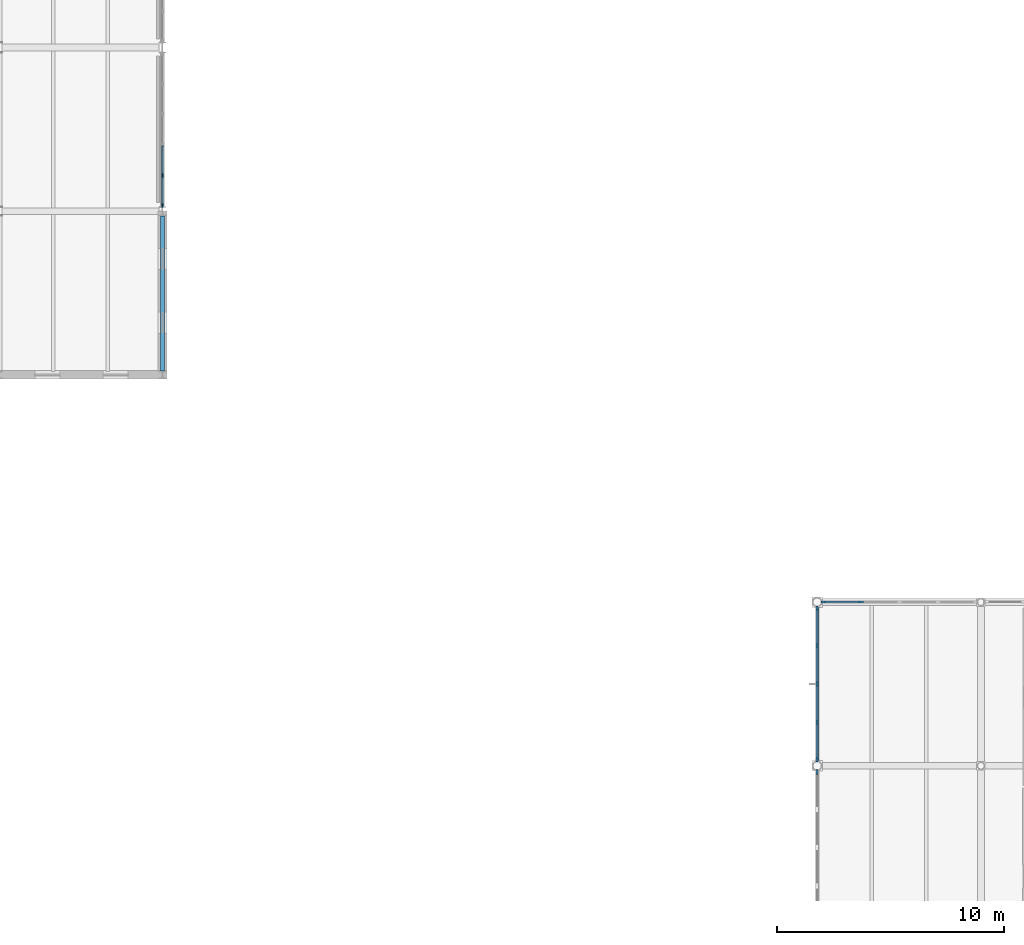
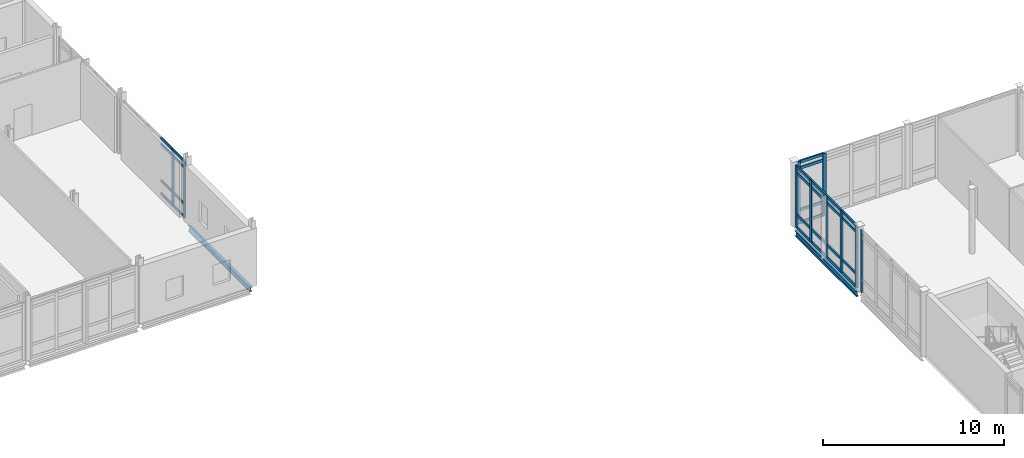
# One storey, part 30 of 76: 38 members, 2 beams, 4 elements without a shape of their own.
"""IFC4 building model written with IfcOpenShell, lengths in metres."""

from ifc_helpers import new_model, si_unit, direction, frame, origin, origin_2d, place, context, subcontext, project, spatial, rectangle, i_section, extrude, material, layer, layer_set, material_profile, profile_set, type_object, element, aggregate, save


model = new_model("IFC4")

# Units and contexts
model_context = context("Model", 3, precision=1e-05, world=origin(), true_north=direction((0.0, 1.0)))
body_context = subcontext(model_context, "Body", "Model", "MODEL_VIEW")
ifc_project = project(units=[si_unit("LENGTHUNIT", "METRE"), si_unit("AREAUNIT", "SQUARE_METRE"), si_unit("VOLUMEUNIT", "CUBIC_METRE"), si_unit("PLANEANGLEUNIT", "RADIAN"), si_unit("MASSUNIT", "GRAM", prefix="KILO")], contexts=[model_context])

# Site, building, storey
site_placement = place(None, origin())
site = spatial("IfcSite", under=ifc_project, at=site_placement, CompositionType="ELEMENT")
building_placement = place(site_placement, origin())
building = spatial("IfcBuilding", under=site, at=building_placement, Name="Zarrinpeak Specialist Clinic", CompositionType="ELEMENT")
storey_placement = place(building_placement, frame((0.0, 0.0, 5.199951171875)))
storey = spatial("IfcBuildingStorey", under=building, at=storey_placement, Name="L01", CompositionType="ELEMENT", Elevation=5.199951171875)

# Beams
ifc_material_1 = material(Name="Steel S355", Category="steel")
ifc_material_profile_1 = material_profile(ifc_material_1, i_section(OverallWidth=0.169921875, OverallDepth=0.360107421875, WebThickness=0.008056640625, FlangeThickness=0.0126953125, FilletRadius=0.01806640625, at=origin_2d()), Name="IPE 360")
ifc_profile_set_1 = profile_set([ifc_material_profile_1], Name="Steel S355")
beam_type = type_object("IfcBeamType", Name="BM-SP360", PredefinedType="SPANDREL", material=ifc_profile_set_1)
beam_1_placement = place(storey_placement, frame((64.800048828125, 82.177978515625, -0.409912109375), z_axis=(0.0, 1.0, 0.0), x_axis=(-1.0, 0.0, 0.0)))
element("IfcBeam", 1, at=beam_1_placement, inside=storey, type_object=beam_type, Name="L01 Perimeter Spandrel Beam BM-L01-Y0918", PredefinedType="SPANDREL", context=body_context, shape_type="SweptSolid", body=[
    extrude(i_section(OverallWidth=0.169921875, OverallDepth=0.360107421875, WebThickness=0.008056640625, FlangeThickness=0.0126953125, FilletRadius=0.01806640625, at=origin_2d()), origin(), (0.0, 0.0, 1.0), 6.799072265625),
])
beam_2_placement = place(storey_placement, frame((93.60009765625, 65.001220703125, -0.409912109375), z_axis=(0.0, 1.0, 0.0), x_axis=(-1.0, 0.0, 0.0)))
element("IfcBeam", 2, at=beam_2_placement, inside=storey, type_object=beam_type, Name="L01 Perimeter Spandrel Beam BM-L01-Y0932", PredefinedType="SPANDREL", context=body_context, shape_type="SweptSolid", body=[
    extrude(i_section(OverallWidth=0.169921875, OverallDepth=0.360107421875, WebThickness=0.008056640625, FlangeThickness=0.0126953125, FilletRadius=0.01806640625, at=origin_2d()), origin(), (0.0, 0.0, 1.0), 6.797607421875),
])

# Curtain wall, members
ifc_material_2 = material(Name="Anodised Aluminium Alloy 6063-T6", Category="aluminium")
ifc_layer_1 = layer(ifc_material_2, 0.1650390625)
ifc_layer_set_1 = layer_set([ifc_layer_1], Name="Anodised Aluminium Alloy 6063-T6")
curtain_wall_type_1 = type_object("IfcCurtainWallType", Name="CW-CLINIC", PredefinedType="NOTDEFINED", material=ifc_layer_set_1)
curtain_wall_1_placement = place(storey_placement, origin())
curtain_wall_1 = element("IfcCurtainWall", 3, at=curtain_wall_1_placement, inside=storey, type_object=curtain_wall_type_1, Name="L01 V6 Unitised Curtain Wall CW-L01-V6-139", PredefinedType="NOTDEFINED")
ifc_material_profile_2 = material_profile(ifc_material_2, rectangle(XDim=0.074951171875, YDim=0.179931640625, at=origin_2d()), Name="ALU 75x180")
ifc_profile_set_2 = profile_set([ifc_material_profile_2], Name="Anodised Aluminium Alloy 6063-T6")
member_type_1 = type_object("IfcMemberType", Name="CWM-75", PredefinedType="MULLION", material=ifc_profile_set_2)
member_1_placement = place(storey_placement, frame((64.800048828125, 89.46240234375, 0.0), z_axis=(0.0, 0.0, 1.0), x_axis=(-1.0, 0.0, 0.0)))
member_1 = element("IfcMember", 4, at=member_1_placement, type_object=member_type_1, Name="CW-03 mullion 1", PredefinedType="MULLION", context=body_context, shape_type="SweptSolid", body=[
    extrude(rectangle(XDim=0.074951171875, YDim=0.179931640625, at=origin_2d()), origin(), (0.0, 0.0, 1.0), 3.81005859375),
])
member_2_placement = place(storey_placement, frame((64.800048828125, 90.77001953125, 0.0), z_axis=(0.0, 0.0, 1.0), x_axis=(-1.0, 0.0, 0.0)))
member_2 = element("IfcMember", 5, at=member_2_placement, type_object=member_type_1, Name="CW-03 mullion 2", PredefinedType="MULLION", context=body_context, shape_type="SweptSolid", body=[
    extrude(rectangle(XDim=0.074951171875, YDim=0.179931640625, at=origin_2d()), origin(), (0.0, 0.0, 1.0), 3.81005859375),
])

ifc_layer_2 = layer(ifc_material_2, 0.199951171875)
ifc_layer_set_2 = layer_set([ifc_layer_2], Name="Anodised Aluminium Alloy 6063-T6")
curtain_wall_type_2 = type_object("IfcCurtainWallType", Name="CW-HALL", PredefinedType="NOTDEFINED", material=ifc_layer_set_2)
curtain_wall_2_placement = place(storey_placement, origin())
curtain_wall_2 = element("IfcCurtainWall", 6, at=curtain_wall_2_placement, inside=storey, type_object=curtain_wall_type_2, Name="L01 V3 Unitised Curtain Wall CW-L01-V3-099", PredefinedType="NOTDEFINED")
ifc_material_profile_3 = material_profile(ifc_material_2, rectangle(XDim=0.090087890625, YDim=0.219970703125, at=origin_2d()), Name="ALU 90x220")
ifc_profile_set_3 = profile_set([ifc_material_profile_3], Name="Anodised Aluminium Alloy 6063-T6")
member_type_2 = type_object("IfcMemberType", Name="CWM-90", PredefinedType="MULLION", material=ifc_profile_set_3)
member_3_placement = place(storey_placement, frame((95.5244140625, 72.0, 0.0), z_axis=(0.0, 0.0, 1.0), x_axis=(0.0, -1.0, 0.0)))
member_3 = element("IfcMember", 7, at=member_3_placement, type_object=member_type_2, Name="CW-02 mullion 4", PredefinedType="MULLION", context=body_context, shape_type="SweptSolid", body=[
    extrude(rectangle(XDim=0.090087890625, YDim=0.219970703125, at=origin_2d()), origin(), (0.0, 0.0, 1.0), 4.18505859375),
])
member_4_placement = place(storey_placement, frame((93.873291015625, 72.0, 0.0), z_axis=(0.0, 0.0, 1.0), x_axis=(0.0, -1.0, 0.0)))
member_4 = element("IfcMember", 8, at=member_4_placement, type_object=member_type_2, Name="CW-02 mullion 5", PredefinedType="MULLION", context=body_context, shape_type="SweptSolid", body=[
    extrude(rectangle(XDim=0.090087890625, YDim=0.219970703125, at=origin_2d()), origin(), (0.0, 0.0, 1.0), 4.18505859375),
])

# Curtain wall, member
curtain_wall_3_placement = place(storey_placement, origin())
curtain_wall_3 = element("IfcCurtainWall", 9, at=curtain_wall_3_placement, inside=storey, type_object=curtain_wall_type_2, Name="L01 V3 Unitised Curtain Wall CW-L01-V3-103", PredefinedType="NOTDEFINED")
member_5_placement = place(storey_placement, frame((93.60009765625, 64.52685546875, 0.0), z_axis=(0.0, 0.0, 1.0), x_axis=(1.0, 0.0, 0.0)))
member_5 = element("IfcMember", 10, at=member_5_placement, type_object=member_type_2, Name="CW-02 mullion 1", PredefinedType="MULLION", context=body_context, shape_type="SweptSolid", body=[
    extrude(rectangle(XDim=0.090087890625, YDim=0.219970703125, at=origin_2d()), origin(), (0.0, 0.0, 1.0), 4.18505859375),
])
aggregate(curtain_wall_3, [member_5])

# Curtain wall, members
curtain_wall_4_placement = place(storey_placement, origin())
curtain_wall_4 = element("IfcCurtainWall", 11, at=curtain_wall_4_placement, inside=storey, type_object=curtain_wall_type_2, Name="L01 V3 Unitised Curtain Wall CW-L01-V3-104", PredefinedType="NOTDEFINED")
member_6_placement = place(storey_placement, frame((93.60009765625, 71.726806640625, 0.0), z_axis=(0.0, 0.0, 1.0), x_axis=(1.0, 0.0, 0.0)))
member_6 = element("IfcMember", 12, at=member_6_placement, type_object=member_type_2, Name="CW-02 mullion 1", PredefinedType="MULLION", context=body_context, shape_type="SweptSolid", body=[
    extrude(rectangle(XDim=0.090087890625, YDim=0.219970703125, at=origin_2d()), origin(), (0.0, 0.0, 1.0), 4.18505859375),
])
member_7_placement = place(storey_placement, frame((93.60009765625, 70.0859375, 0.0), z_axis=(0.0, 0.0, 1.0), x_axis=(1.0, 0.0, 0.0)))
member_7 = element("IfcMember", 13, at=member_7_placement, type_object=member_type_2, Name="CW-02 mullion 2", PredefinedType="MULLION", context=body_context, shape_type="SweptSolid", body=[
    extrude(rectangle(XDim=0.090087890625, YDim=0.219970703125, at=origin_2d()), origin(), (0.0, 0.0, 1.0), 4.18505859375),
])
member_8_placement = place(storey_placement, frame((93.60009765625, 68.39990234375, 0.0), z_axis=(0.0, 0.0, 1.0), x_axis=(1.0, 0.0, 0.0)))
member_8 = element("IfcMember", 14, at=member_8_placement, type_object=member_type_2, Name="CW-02 mullion 3", PredefinedType="MULLION", context=body_context, shape_type="SweptSolid", body=[
    extrude(rectangle(XDim=0.090087890625, YDim=0.219970703125, at=origin_2d()), origin(), (0.0, 0.0, 1.0), 4.18505859375),
])
member_9_placement = place(storey_placement, frame((93.60009765625, 66.714111328125, 0.0), z_axis=(0.0, 0.0, 1.0), x_axis=(1.0, 0.0, 0.0)))
member_9 = element("IfcMember", 15, at=member_9_placement, type_object=member_type_2, Name="CW-02 mullion 4", PredefinedType="MULLION", context=body_context, shape_type="SweptSolid", body=[
    extrude(rectangle(XDim=0.090087890625, YDim=0.219970703125, at=origin_2d()), origin(), (0.0, 0.0, 1.0), 4.18505859375),
])
member_10_placement = place(storey_placement, frame((93.60009765625, 65.0732421875, 0.0), z_axis=(0.0, 0.0, 1.0), x_axis=(1.0, 0.0, 0.0)))
member_10 = element("IfcMember", 16, at=member_10_placement, type_object=member_type_2, Name="CW-02 mullion 5", PredefinedType="MULLION", context=body_context, shape_type="SweptSolid", body=[
    extrude(rectangle(XDim=0.090087890625, YDim=0.219970703125, at=origin_2d()), origin(), (0.0, 0.0, 1.0), 4.18505859375),
])

# Member
ifc_material_profile_4 = material_profile(ifc_material_2, rectangle(XDim=0.074951171875, YDim=0.159912109375, at=origin_2d()), Name="ALU 75x160")
ifc_profile_set_4 = profile_set([ifc_material_profile_4], Name="Anodised Aluminium Alloy 6063-T6")
member_type_3 = type_object("IfcMemberType", Name="CWT-75", PredefinedType="USERDEFINED", material=ifc_profile_set_4)
member_11_placement = place(storey_placement, frame((64.800048828125, 89.5, 0.03759765625), z_axis=(0.0, 1.0, 0.0), x_axis=(-1.0, 0.0, 0.0)))
member_11 = element("IfcMember", 17, at=member_11_placement, type_object=member_type_3, Name="CW-03 transom 1.1", ObjectType="TRANSOM", PredefinedType="USERDEFINED", context=body_context, shape_type="SweptSolid", body=[
    extrude(rectangle(XDim=0.074951171875, YDim=0.159912109375, at=origin_2d()), origin(), (0.0, 0.0, 1.0), 1.232421875),
])

member_12_placement = place(storey_placement, frame((64.800048828125, 89.5, 0.900146484375), z_axis=(0.0, 1.0, 0.0), x_axis=(-1.0, 0.0, 0.0)))
member_12 = element("IfcMember", 18, at=member_12_placement, type_object=member_type_3, Name="CW-03 transom 1.2", ObjectType="TRANSOM", PredefinedType="USERDEFINED", context=body_context, shape_type="SweptSolid", body=[
    extrude(rectangle(XDim=0.074951171875, YDim=0.159912109375, at=origin_2d()), origin(), (0.0, 0.0, 1.0), 1.232421875),
])

member_13_placement = place(storey_placement, frame((64.800048828125, 89.5, 3.360107421875), z_axis=(0.0, 1.0, 0.0), x_axis=(-1.0, 0.0, 0.0)))
member_13 = element("IfcMember", 19, at=member_13_placement, type_object=member_type_3, Name="CW-03 transom 1.3", ObjectType="TRANSOM", PredefinedType="USERDEFINED", context=body_context, shape_type="SweptSolid", body=[
    extrude(rectangle(XDim=0.074951171875, YDim=0.159912109375, at=origin_2d()), origin(), (0.0, 0.0, 1.0), 1.232421875),
])

member_14_placement = place(storey_placement, frame((64.800048828125, 89.5, 3.7724609375), z_axis=(0.0, 1.0, 0.0), x_axis=(-1.0, 0.0, 0.0)))
member_14 = element("IfcMember", 20, at=member_14_placement, type_object=member_type_3, Name="CW-03 transom 1.4", ObjectType="TRANSOM", PredefinedType="USERDEFINED", context=body_context, shape_type="SweptSolid", body=[
    extrude(rectangle(XDim=0.074951171875, YDim=0.159912109375, at=origin_2d()), origin(), (0.0, 0.0, 1.0), 1.232421875),
])

member_15_placement = place(storey_placement, frame((64.800048828125, 90.8076171875, 0.03759765625), z_axis=(0.0, 1.0, 0.0), x_axis=(-1.0, 0.0, 0.0)))
member_15 = element("IfcMember", 21, at=member_15_placement, type_object=member_type_3, Name="CW-03 transom 2.1", ObjectType="TRANSOM", PredefinedType="USERDEFINED", context=body_context, shape_type="SweptSolid", body=[
    extrude(rectangle(XDim=0.074951171875, YDim=0.159912109375, at=origin_2d()), origin(), (0.0, 0.0, 1.0), 1.269775390625),
])

member_16_placement = place(storey_placement, frame((64.800048828125, 90.8076171875, 0.900146484375), z_axis=(0.0, 1.0, 0.0), x_axis=(-1.0, 0.0, 0.0)))
member_16 = element("IfcMember", 22, at=member_16_placement, type_object=member_type_3, Name="CW-03 transom 2.2", ObjectType="TRANSOM", PredefinedType="USERDEFINED", context=body_context, shape_type="SweptSolid", body=[
    extrude(rectangle(XDim=0.074951171875, YDim=0.159912109375, at=origin_2d()), origin(), (0.0, 0.0, 1.0), 1.269775390625),
])

member_17_placement = place(storey_placement, frame((64.800048828125, 90.8076171875, 3.360107421875), z_axis=(0.0, 1.0, 0.0), x_axis=(-1.0, 0.0, 0.0)))
member_17 = element("IfcMember", 23, at=member_17_placement, type_object=member_type_3, Name="CW-03 transom 2.3", ObjectType="TRANSOM", PredefinedType="USERDEFINED", context=body_context, shape_type="SweptSolid", body=[
    extrude(rectangle(XDim=0.074951171875, YDim=0.159912109375, at=origin_2d()), origin(), (0.0, 0.0, 1.0), 1.269775390625),
])

member_18_placement = place(storey_placement, frame((64.800048828125, 90.8076171875, 3.7724609375), z_axis=(0.0, 1.0, 0.0), x_axis=(-1.0, 0.0, 0.0)))
member_18 = element("IfcMember", 24, at=member_18_placement, type_object=member_type_3, Name="CW-03 transom 2.4", ObjectType="TRANSOM", PredefinedType="USERDEFINED", context=body_context, shape_type="SweptSolid", body=[
    extrude(rectangle(XDim=0.074951171875, YDim=0.159912109375, at=origin_2d()), origin(), (0.0, 0.0, 1.0), 1.269775390625),
])

aggregate(curtain_wall_1, [member_1, member_2, member_11, member_12, member_13, member_14, member_15, member_16, member_17, member_18])

ifc_material_profile_5 = material_profile(ifc_material_2, rectangle(XDim=0.090087890625, YDim=0.18994140625, at=origin_2d()), Name="ALU 90x190")
ifc_profile_set_5 = profile_set([ifc_material_profile_5], Name="Anodised Aluminium Alloy 6063-T6")
member_type_4 = type_object("IfcMemberType", Name="CWT-90", PredefinedType="USERDEFINED", material=ifc_profile_set_5)
member_19_placement = place(storey_placement, frame((95.4794921875, 72.0, 0.045166015625), z_axis=(-1.0, 0.0, 0.0), x_axis=(0.0, -1.0, 0.0)))
member_19 = element("IfcMember", 25, at=member_19_placement, type_object=member_type_4, Name="CW-02 transom 4.1", ObjectType="TRANSOM", PredefinedType="USERDEFINED", context=body_context, shape_type="SweptSolid", body=[
    extrude(rectangle(XDim=0.090087890625, YDim=0.18994140625, at=origin_2d()), origin(), (0.0, 0.0, 1.0), 1.561279296875),
])

member_20_placement = place(storey_placement, frame((95.4794921875, 72.0, 0.900146484375), z_axis=(-1.0, 0.0, 0.0), x_axis=(0.0, -1.0, 0.0)))
member_20 = element("IfcMember", 26, at=member_20_placement, type_object=member_type_4, Name="CW-02 transom 4.2", ObjectType="TRANSOM", PredefinedType="USERDEFINED", context=body_context, shape_type="SweptSolid", body=[
    extrude(rectangle(XDim=0.090087890625, YDim=0.18994140625, at=origin_2d()), origin(), (0.0, 0.0, 1.0), 1.561279296875),
])

member_21_placement = place(storey_placement, frame((95.4794921875, 72.0, 3.735107421875), z_axis=(-1.0, 0.0, 0.0), x_axis=(0.0, -1.0, 0.0)))
member_21 = element("IfcMember", 27, at=member_21_placement, type_object=member_type_4, Name="CW-02 transom 4.3", ObjectType="TRANSOM", PredefinedType="USERDEFINED", context=body_context, shape_type="SweptSolid", body=[
    extrude(rectangle(XDim=0.090087890625, YDim=0.18994140625, at=origin_2d()), origin(), (0.0, 0.0, 1.0), 1.561279296875),
])

member_22_placement = place(storey_placement, frame((95.4794921875, 72.0, 4.14013671875), z_axis=(-1.0, 0.0, 0.0), x_axis=(0.0, -1.0, 0.0)))
member_22 = element("IfcMember", 28, at=member_22_placement, type_object=member_type_4, Name="CW-02 transom 4.4", ObjectType="TRANSOM", PredefinedType="USERDEFINED", context=body_context, shape_type="SweptSolid", body=[
    extrude(rectangle(XDim=0.090087890625, YDim=0.18994140625, at=origin_2d()), origin(), (0.0, 0.0, 1.0), 1.561279296875),
])

aggregate(curtain_wall_2, [member_3, member_4, member_19, member_20, member_21, member_22])

member_23_placement = place(storey_placement, frame((93.60009765625, 71.681884765625, 0.045166015625), z_axis=(0.0, -1.0, 0.0), x_axis=(1.0, 0.0, 0.0)))
member_23 = element("IfcMember", 29, at=member_23_placement, type_object=member_type_4, Name="CW-02 transom 1.1", ObjectType="TRANSOM", PredefinedType="USERDEFINED", context=body_context, shape_type="SweptSolid", body=[
    extrude(rectangle(XDim=0.090087890625, YDim=0.18994140625, at=origin_2d()), origin(), (0.0, 0.0, 1.0), 1.551025390625),
])

member_24_placement = place(storey_placement, frame((93.60009765625, 71.681884765625, 0.900146484375), z_axis=(0.0, -1.0, 0.0), x_axis=(1.0, 0.0, 0.0)))
member_24 = element("IfcMember", 30, at=member_24_placement, type_object=member_type_4, Name="CW-02 transom 1.2", ObjectType="TRANSOM", PredefinedType="USERDEFINED", context=body_context, shape_type="SweptSolid", body=[
    extrude(rectangle(XDim=0.090087890625, YDim=0.18994140625, at=origin_2d()), origin(), (0.0, 0.0, 1.0), 1.551025390625),
])

member_25_placement = place(storey_placement, frame((93.60009765625, 71.681884765625, 3.735107421875), z_axis=(0.0, -1.0, 0.0), x_axis=(1.0, 0.0, 0.0)))
member_25 = element("IfcMember", 31, at=member_25_placement, type_object=member_type_4, Name="CW-02 transom 1.3", ObjectType="TRANSOM", PredefinedType="USERDEFINED", context=body_context, shape_type="SweptSolid", body=[
    extrude(rectangle(XDim=0.090087890625, YDim=0.18994140625, at=origin_2d()), origin(), (0.0, 0.0, 1.0), 1.551025390625),
])

member_26_placement = place(storey_placement, frame((93.60009765625, 71.681884765625, 4.14013671875), z_axis=(0.0, -1.0, 0.0), x_axis=(1.0, 0.0, 0.0)))
member_26 = element("IfcMember", 32, at=member_26_placement, type_object=member_type_4, Name="CW-02 transom 1.4", ObjectType="TRANSOM", PredefinedType="USERDEFINED", context=body_context, shape_type="SweptSolid", body=[
    extrude(rectangle(XDim=0.090087890625, YDim=0.18994140625, at=origin_2d()), origin(), (0.0, 0.0, 1.0), 1.551025390625),
])

member_27_placement = place(storey_placement, frame((93.60009765625, 70.041015625, 0.045166015625), z_axis=(0.0, -1.0, 0.0), x_axis=(1.0, 0.0, 0.0)))
member_27 = element("IfcMember", 33, at=member_27_placement, type_object=member_type_4, Name="CW-02 transom 2.1", ObjectType="TRANSOM", PredefinedType="USERDEFINED", context=body_context, shape_type="SweptSolid", body=[
    extrude(rectangle(XDim=0.090087890625, YDim=0.18994140625, at=origin_2d()), origin(), (0.0, 0.0, 1.0), 1.595947265625),
])

member_28_placement = place(storey_placement, frame((93.60009765625, 70.041015625, 0.900146484375), z_axis=(0.0, -1.0, 0.0), x_axis=(1.0, 0.0, 0.0)))
member_28 = element("IfcMember", 34, at=member_28_placement, type_object=member_type_4, Name="CW-02 transom 2.2", ObjectType="TRANSOM", PredefinedType="USERDEFINED", context=body_context, shape_type="SweptSolid", body=[
    extrude(rectangle(XDim=0.090087890625, YDim=0.18994140625, at=origin_2d()), origin(), (0.0, 0.0, 1.0), 1.595947265625),
])

member_29_placement = place(storey_placement, frame((93.60009765625, 70.041015625, 3.735107421875), z_axis=(0.0, -1.0, 0.0), x_axis=(1.0, 0.0, 0.0)))
member_29 = element("IfcMember", 35, at=member_29_placement, type_object=member_type_4, Name="CW-02 transom 2.3", ObjectType="TRANSOM", PredefinedType="USERDEFINED", context=body_context, shape_type="SweptSolid", body=[
    extrude(rectangle(XDim=0.090087890625, YDim=0.18994140625, at=origin_2d()), origin(), (0.0, 0.0, 1.0), 1.595947265625),
])

member_30_placement = place(storey_placement, frame((93.60009765625, 70.041015625, 4.14013671875), z_axis=(0.0, -1.0, 0.0), x_axis=(1.0, 0.0, 0.0)))
member_30 = element("IfcMember", 36, at=member_30_placement, type_object=member_type_4, Name="CW-02 transom 2.4", ObjectType="TRANSOM", PredefinedType="USERDEFINED", context=body_context, shape_type="SweptSolid", body=[
    extrude(rectangle(XDim=0.090087890625, YDim=0.18994140625, at=origin_2d()), origin(), (0.0, 0.0, 1.0), 1.595947265625),
])

member_31_placement = place(storey_placement, frame((93.60009765625, 68.35498046875, 0.045166015625), z_axis=(0.0, -1.0, 0.0), x_axis=(1.0, 0.0, 0.0)))
member_31 = element("IfcMember", 37, at=member_31_placement, type_object=member_type_4, Name="CW-02 transom 3.1", ObjectType="TRANSOM", PredefinedType="USERDEFINED", context=body_context, shape_type="SweptSolid", body=[
    extrude(rectangle(XDim=0.090087890625, YDim=0.18994140625, at=origin_2d()), origin(), (0.0, 0.0, 1.0), 1.595947265625),
])

member_32_placement = place(storey_placement, frame((93.60009765625, 68.35498046875, 0.900146484375), z_axis=(0.0, -1.0, 0.0), x_axis=(1.0, 0.0, 0.0)))
member_32 = element("IfcMember", 38, at=member_32_placement, type_object=member_type_4, Name="CW-02 transom 3.2", ObjectType="TRANSOM", PredefinedType="USERDEFINED", context=body_context, shape_type="SweptSolid", body=[
    extrude(rectangle(XDim=0.090087890625, YDim=0.18994140625, at=origin_2d()), origin(), (0.0, 0.0, 1.0), 1.595947265625),
])

member_33_placement = place(storey_placement, frame((93.60009765625, 68.35498046875, 3.735107421875), z_axis=(0.0, -1.0, 0.0), x_axis=(1.0, 0.0, 0.0)))
member_33 = element("IfcMember", 39, at=member_33_placement, type_object=member_type_4, Name="CW-02 transom 3.3", ObjectType="TRANSOM", PredefinedType="USERDEFINED", context=body_context, shape_type="SweptSolid", body=[
    extrude(rectangle(XDim=0.090087890625, YDim=0.18994140625, at=origin_2d()), origin(), (0.0, 0.0, 1.0), 1.595947265625),
])

member_34_placement = place(storey_placement, frame((93.60009765625, 68.35498046875, 4.14013671875), z_axis=(0.0, -1.0, 0.0), x_axis=(1.0, 0.0, 0.0)))
member_34 = element("IfcMember", 40, at=member_34_placement, type_object=member_type_4, Name="CW-02 transom 3.4", ObjectType="TRANSOM", PredefinedType="USERDEFINED", context=body_context, shape_type="SweptSolid", body=[
    extrude(rectangle(XDim=0.090087890625, YDim=0.18994140625, at=origin_2d()), origin(), (0.0, 0.0, 1.0), 1.595947265625),
])

member_35_placement = place(storey_placement, frame((93.60009765625, 66.669189453125, 0.045166015625), z_axis=(0.0, -1.0, 0.0), x_axis=(1.0, 0.0, 0.0)))
member_35 = element("IfcMember", 41, at=member_35_placement, type_object=member_type_4, Name="CW-02 transom 4.1", ObjectType="TRANSOM", PredefinedType="USERDEFINED", context=body_context, shape_type="SweptSolid", body=[
    extrude(rectangle(XDim=0.090087890625, YDim=0.18994140625, at=origin_2d()), origin(), (0.0, 0.0, 1.0), 1.551025390625),
])

member_36_placement = place(storey_placement, frame((93.60009765625, 66.669189453125, 0.900146484375), z_axis=(0.0, -1.0, 0.0), x_axis=(1.0, 0.0, 0.0)))
member_36 = element("IfcMember", 42, at=member_36_placement, type_object=member_type_4, Name="CW-02 transom 4.2", ObjectType="TRANSOM", PredefinedType="USERDEFINED", context=body_context, shape_type="SweptSolid", body=[
    extrude(rectangle(XDim=0.090087890625, YDim=0.18994140625, at=origin_2d()), origin(), (0.0, 0.0, 1.0), 1.551025390625),
])

member_37_placement = place(storey_placement, frame((93.60009765625, 66.669189453125, 3.735107421875), z_axis=(0.0, -1.0, 0.0), x_axis=(1.0, 0.0, 0.0)))
member_37 = element("IfcMember", 43, at=member_37_placement, type_object=member_type_4, Name="CW-02 transom 4.3", ObjectType="TRANSOM", PredefinedType="USERDEFINED", context=body_context, shape_type="SweptSolid", body=[
    extrude(rectangle(XDim=0.090087890625, YDim=0.18994140625, at=origin_2d()), origin(), (0.0, 0.0, 1.0), 1.551025390625),
])

member_38_placement = place(storey_placement, frame((93.60009765625, 66.669189453125, 4.14013671875), z_axis=(0.0, -1.0, 0.0), x_axis=(1.0, 0.0, 0.0)))
member_38 = element("IfcMember", 44, at=member_38_placement, type_object=member_type_4, Name="CW-02 transom 4.4", ObjectType="TRANSOM", PredefinedType="USERDEFINED", context=body_context, shape_type="SweptSolid", body=[
    extrude(rectangle(XDim=0.090087890625, YDim=0.18994140625, at=origin_2d()), origin(), (0.0, 0.0, 1.0), 1.551025390625),
])

aggregate(curtain_wall_4, [member_6, member_7, member_8, member_9, member_10, member_23, member_24, member_25, member_26, member_27, member_28, member_29, member_30, member_31, member_32, member_33, member_34, member_35, member_36, member_37, member_38])

save(model, "model.ifc")
